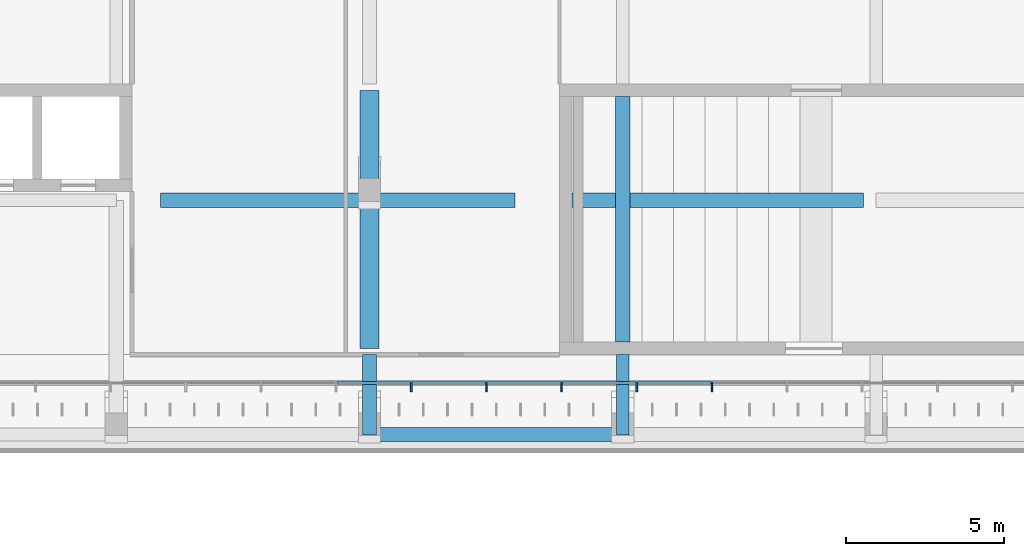
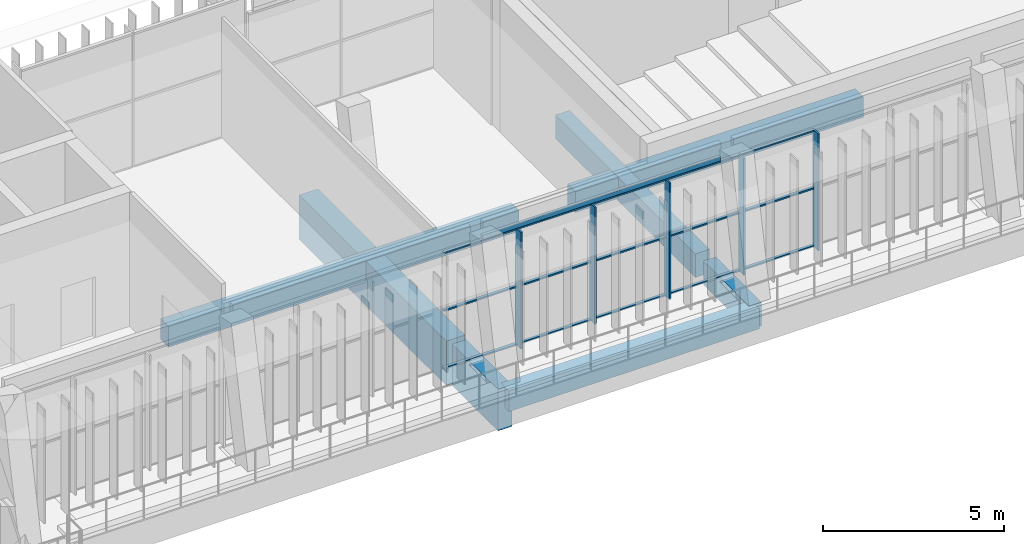
# One storey, part 24 of 74: 20 members, 8 beams, 1 element without a shape of its own.
"""IFC4 building model written with IfcOpenShell, lengths in metres."""

from ifc_helpers import new_model, si_unit, direction, frame, origin, origin_2d, place, context, subcontext, project, spatial, rectangle, hollow_rectangle, extrude, material, material_profile, profile_set, type_object, element, aggregate, save


model = new_model("IFC4")

# Units and contexts
model_context = context("Model", 3, precision=1e-05, world=origin(), true_north=direction((0.0, 1.0)))
body_context = subcontext(model_context, "Body", "Model", "MODEL_VIEW")
ifc_project = project(units=[si_unit("LENGTHUNIT", "METRE"), si_unit("AREAUNIT", "SQUARE_METRE"), si_unit("VOLUMEUNIT", "CUBIC_METRE"), si_unit("PLANEANGLEUNIT", "RADIAN"), si_unit("MASSUNIT", "GRAM", prefix="KILO")], contexts=[model_context])

# Site, building, storey
site_placement = place(None, origin())
site = spatial("IfcSite", under=ifc_project, at=site_placement, CompositionType="ELEMENT")
building_placement = place(site_placement, origin())
building = spatial("IfcBuilding", under=site, at=building_placement, Name="Lantern Court Media Centre", CompositionType="ELEMENT")
storey_placement = place(building_placement, frame((0.0, 0.0, 19.199951171875)))
storey = spatial("IfcBuildingStorey", under=building, at=storey_placement, Name="L04", CompositionType="ELEMENT", Elevation=19.199951171875)

# Curtain wall, members
ifc_material_1 = material(Name="Curtain wall bay 2400")
curtain_wall_type = type_object("IfcCurtainWallType", Name="Curtain wall bay 2400", PredefinedType="NOTDEFINED", material=ifc_material_1)
curtain_wall_placement = place(storey_placement, origin())
curtain_wall = element("IfcCurtainWall", 1, at=curtain_wall_placement, inside=storey, type_object=curtain_wall_type, Name="Curtain wall N inner L04", PredefinedType="NOTDEFINED")
ifc_material_2 = material(Name="Anodised aluminium", Category="aluminium")
ifc_material_profile_1 = material_profile(ifc_material_2, rectangle(XDim=0.300048828125, YDim=0.050048828125, at=origin_2d()), Name="AL 50x300")
ifc_profile_set_1 = profile_set([ifc_material_profile_1], Name="Anodised aluminium")
member_type_1 = type_object("IfcMemberType", Name="Curtain wall mullion 50x300", PredefinedType="MULLION", material=ifc_profile_set_1)
member_1_placement = place(storey_placement, frame((41.3173828125, 102.030029296875, 0.0), z_axis=(0.0, 0.0, 1.0), x_axis=(0.0, 1.0, 0.0)))
member_1 = element("IfcMember", 2, at=member_1_placement, type_object=member_type_1, Name="CW2 mullion 8", PredefinedType="MULLION", context=body_context, shape_type="SweptSolid", body=[
    extrude(rectangle(XDim=0.300048828125, YDim=0.050048828125, at=origin_2d()), origin(), (0.0, 0.0, 1.0), 3.949951171875),
])
member_2_placement = place(storey_placement, frame((43.69140625, 102.030029296875, 0.0), z_axis=(0.0, 0.0, 1.0), x_axis=(0.0, 1.0, 0.0)))
member_2 = element("IfcMember", 3, at=member_2_placement, type_object=member_type_1, Name="CW2 mullion 9", PredefinedType="MULLION", context=body_context, shape_type="SweptSolid", body=[
    extrude(rectangle(XDim=0.300048828125, YDim=0.050048828125, at=origin_2d()), origin(), (0.0, 0.0, 1.0), 3.949951171875),
])
member_3_placement = place(storey_placement, frame((46.065185546875, 102.030029296875, 0.0), z_axis=(0.0, 0.0, 1.0), x_axis=(0.0, 1.0, 0.0)))
member_3 = element("IfcMember", 4, at=member_3_placement, type_object=member_type_1, Name="CW2 mullion 10", PredefinedType="MULLION", context=body_context, shape_type="SweptSolid", body=[
    extrude(rectangle(XDim=0.300048828125, YDim=0.050048828125, at=origin_2d()), origin(), (0.0, 0.0, 1.0), 3.949951171875),
])
member_4_placement = place(storey_placement, frame((48.439208984375, 102.030029296875, 0.0), z_axis=(0.0, 0.0, 1.0), x_axis=(0.0, 1.0, 0.0)))
member_4 = element("IfcMember", 5, at=member_4_placement, type_object=member_type_1, Name="CW2 mullion 11", PredefinedType="MULLION", context=body_context, shape_type="SweptSolid", body=[
    extrude(rectangle(XDim=0.300048828125, YDim=0.050048828125, at=origin_2d()), origin(), (0.0, 0.0, 1.0), 3.949951171875),
])
member_5_placement = place(storey_placement, frame((50.81298828125, 102.030029296875, 0.0), z_axis=(0.0, 0.0, 1.0), x_axis=(0.0, 1.0, 0.0)))
member_5 = element("IfcMember", 6, at=member_5_placement, type_object=member_type_1, Name="CW2 mullion 12", PredefinedType="MULLION", context=body_context, shape_type="SweptSolid", body=[
    extrude(rectangle(XDim=0.300048828125, YDim=0.050048828125, at=origin_2d()), origin(), (0.0, 0.0, 1.0), 3.949951171875),
])
ifc_material_profile_2 = material_profile(ifc_material_2, rectangle(XDim=0.10009765625, YDim=0.050048828125, at=origin_2d()), Name="AL 50x100")
ifc_profile_set_2 = profile_set([ifc_material_profile_2], Name="Anodised aluminium")
member_type_2 = type_object("IfcMemberType", Name="Curtain wall transom 100x50", PredefinedType="USERDEFINED", material=ifc_profile_set_2)
member_6_placement = place(storey_placement, frame((38.968505859375, 102.14990234375, 0.025146484375), z_axis=(1.0, 0.0, 0.0), x_axis=(0.0, 1.0, 0.0)))
member_6 = element("IfcMember", 7, at=member_6_placement, type_object=member_type_2, Name="CW2 transom 7.1", ObjectType="TRANSOM", PredefinedType="USERDEFINED", context=body_context, shape_type="SweptSolid", body=[
    extrude(rectangle(XDim=0.10009765625, YDim=0.050048828125, at=origin_2d()), origin(), (0.0, 0.0, 1.0), 2.323974609375),
])
member_7_placement = place(storey_placement, frame((38.968505859375, 102.14990234375, 1.97509765625), z_axis=(1.0, 0.0, 0.0), x_axis=(0.0, 1.0, 0.0)))
member_7 = element("IfcMember", 8, at=member_7_placement, type_object=member_type_2, Name="CW2 transom 7.2", ObjectType="TRANSOM", PredefinedType="USERDEFINED", context=body_context, shape_type="SweptSolid", body=[
    extrude(rectangle(XDim=0.10009765625, YDim=0.050048828125, at=origin_2d()), origin(), (0.0, 0.0, 1.0), 2.323974609375),
])
member_8_placement = place(storey_placement, frame((38.968505859375, 102.14990234375, 3.925048828125), z_axis=(1.0, 0.0, 0.0), x_axis=(0.0, 1.0, 0.0)))
member_8 = element("IfcMember", 9, at=member_8_placement, type_object=member_type_2, Name="CW2 transom 7.3", ObjectType="TRANSOM", PredefinedType="USERDEFINED", context=body_context, shape_type="SweptSolid", body=[
    extrude(rectangle(XDim=0.10009765625, YDim=0.050048828125, at=origin_2d()), origin(), (0.0, 0.0, 1.0), 2.323974609375),
])
member_9_placement = place(storey_placement, frame((41.34228515625, 102.14990234375, 0.025146484375), z_axis=(1.0, 0.0, 0.0), x_axis=(0.0, 1.0, 0.0)))
member_9 = element("IfcMember", 10, at=member_9_placement, type_object=member_type_2, Name="CW2 transom 8.1", ObjectType="TRANSOM", PredefinedType="USERDEFINED", context=body_context, shape_type="SweptSolid", body=[
    extrude(rectangle(XDim=0.10009765625, YDim=0.050048828125, at=origin_2d()), origin(), (0.0, 0.0, 1.0), 2.323974609375),
])
member_10_placement = place(storey_placement, frame((41.34228515625, 102.14990234375, 1.97509765625), z_axis=(1.0, 0.0, 0.0), x_axis=(0.0, 1.0, 0.0)))
member_10 = element("IfcMember", 11, at=member_10_placement, type_object=member_type_2, Name="CW2 transom 8.2", ObjectType="TRANSOM", PredefinedType="USERDEFINED", context=body_context, shape_type="SweptSolid", body=[
    extrude(rectangle(XDim=0.10009765625, YDim=0.050048828125, at=origin_2d()), origin(), (0.0, 0.0, 1.0), 2.323974609375),
])
member_11_placement = place(storey_placement, frame((41.34228515625, 102.14990234375, 3.925048828125), z_axis=(1.0, 0.0, 0.0), x_axis=(0.0, 1.0, 0.0)))
member_11 = element("IfcMember", 12, at=member_11_placement, type_object=member_type_2, Name="CW2 transom 8.3", ObjectType="TRANSOM", PredefinedType="USERDEFINED", context=body_context, shape_type="SweptSolid", body=[
    extrude(rectangle(XDim=0.10009765625, YDim=0.050048828125, at=origin_2d()), origin(), (0.0, 0.0, 1.0), 2.323974609375),
])
member_12_placement = place(storey_placement, frame((43.71630859375, 102.14990234375, 0.025146484375), z_axis=(1.0, 0.0, 0.0), x_axis=(0.0, 1.0, 0.0)))
member_12 = element("IfcMember", 13, at=member_12_placement, type_object=member_type_2, Name="CW2 transom 9.1", ObjectType="TRANSOM", PredefinedType="USERDEFINED", context=body_context, shape_type="SweptSolid", body=[
    extrude(rectangle(XDim=0.10009765625, YDim=0.050048828125, at=origin_2d()), origin(), (0.0, 0.0, 1.0), 2.323974609375),
])
member_13_placement = place(storey_placement, frame((43.71630859375, 102.14990234375, 1.97509765625), z_axis=(1.0, 0.0, 0.0), x_axis=(0.0, 1.0, 0.0)))
member_13 = element("IfcMember", 14, at=member_13_placement, type_object=member_type_2, Name="CW2 transom 9.2", ObjectType="TRANSOM", PredefinedType="USERDEFINED", context=body_context, shape_type="SweptSolid", body=[
    extrude(rectangle(XDim=0.10009765625, YDim=0.050048828125, at=origin_2d()), origin(), (0.0, 0.0, 1.0), 2.323974609375),
])
member_14_placement = place(storey_placement, frame((43.71630859375, 102.14990234375, 3.925048828125), z_axis=(1.0, 0.0, 0.0), x_axis=(0.0, 1.0, 0.0)))
member_14 = element("IfcMember", 15, at=member_14_placement, type_object=member_type_2, Name="CW2 transom 9.3", ObjectType="TRANSOM", PredefinedType="USERDEFINED", context=body_context, shape_type="SweptSolid", body=[
    extrude(rectangle(XDim=0.10009765625, YDim=0.050048828125, at=origin_2d()), origin(), (0.0, 0.0, 1.0), 2.323974609375),
])
member_15_placement = place(storey_placement, frame((46.09033203125, 102.14990234375, 0.025146484375), z_axis=(1.0, 0.0, 0.0), x_axis=(0.0, 1.0, 0.0)))
member_15 = element("IfcMember", 16, at=member_15_placement, type_object=member_type_2, Name="CW2 transom 10.1", ObjectType="TRANSOM", PredefinedType="USERDEFINED", context=body_context, shape_type="SweptSolid", body=[
    extrude(rectangle(XDim=0.10009765625, YDim=0.050048828125, at=origin_2d()), origin(), (0.0, 0.0, 1.0), 2.32373046875),
])
member_16_placement = place(storey_placement, frame((46.09033203125, 102.14990234375, 1.97509765625), z_axis=(1.0, 0.0, 0.0), x_axis=(0.0, 1.0, 0.0)))
member_16 = element("IfcMember", 17, at=member_16_placement, type_object=member_type_2, Name="CW2 transom 10.2", ObjectType="TRANSOM", PredefinedType="USERDEFINED", context=body_context, shape_type="SweptSolid", body=[
    extrude(rectangle(XDim=0.10009765625, YDim=0.050048828125, at=origin_2d()), origin(), (0.0, 0.0, 1.0), 2.32373046875),
])
member_17_placement = place(storey_placement, frame((46.09033203125, 102.14990234375, 3.925048828125), z_axis=(1.0, 0.0, 0.0), x_axis=(0.0, 1.0, 0.0)))
member_17 = element("IfcMember", 18, at=member_17_placement, type_object=member_type_2, Name="CW2 transom 10.3", ObjectType="TRANSOM", PredefinedType="USERDEFINED", context=body_context, shape_type="SweptSolid", body=[
    extrude(rectangle(XDim=0.10009765625, YDim=0.050048828125, at=origin_2d()), origin(), (0.0, 0.0, 1.0), 2.32373046875),
])
member_18_placement = place(storey_placement, frame((48.464111328125, 102.14990234375, 0.025146484375), z_axis=(1.0, 0.0, 0.0), x_axis=(0.0, 1.0, 0.0)))
member_18 = element("IfcMember", 19, at=member_18_placement, type_object=member_type_2, Name="CW2 transom 11.1", ObjectType="TRANSOM", PredefinedType="USERDEFINED", context=body_context, shape_type="SweptSolid", body=[
    extrude(rectangle(XDim=0.10009765625, YDim=0.050048828125, at=origin_2d()), origin(), (0.0, 0.0, 1.0), 2.323974609375),
])
member_19_placement = place(storey_placement, frame((48.464111328125, 102.14990234375, 1.97509765625), z_axis=(1.0, 0.0, 0.0), x_axis=(0.0, 1.0, 0.0)))
member_19 = element("IfcMember", 20, at=member_19_placement, type_object=member_type_2, Name="CW2 transom 11.2", ObjectType="TRANSOM", PredefinedType="USERDEFINED", context=body_context, shape_type="SweptSolid", body=[
    extrude(rectangle(XDim=0.10009765625, YDim=0.050048828125, at=origin_2d()), origin(), (0.0, 0.0, 1.0), 2.323974609375),
])
member_20_placement = place(storey_placement, frame((48.464111328125, 102.14990234375, 3.925048828125), z_axis=(1.0, 0.0, 0.0), x_axis=(0.0, 1.0, 0.0)))
member_20 = element("IfcMember", 21, at=member_20_placement, type_object=member_type_2, Name="CW2 transom 11.3", ObjectType="TRANSOM", PredefinedType="USERDEFINED", context=body_context, shape_type="SweptSolid", body=[
    extrude(rectangle(XDim=0.10009765625, YDim=0.050048828125, at=origin_2d()), origin(), (0.0, 0.0, 1.0), 2.323974609375),
])
aggregate(curtain_wall, [member_1, member_2, member_3, member_4, member_5, member_6, member_7, member_8, member_9, member_10, member_11, member_12, member_13, member_14, member_15, member_16, member_17, member_18, member_19, member_20])

# Beams
ifc_material_3 = material(Name="Steel S355J2 (EN 10025-2)", Category="steel")
ifc_material_profile_3 = material_profile(ifc_material_3, hollow_rectangle(XDim=0.10009765625, YDim=0.14990234375, WallThickness=0.00634765625, InnerFilletRadius=0.00634765625, OuterFilletRadius=0.009521484375, at=origin_2d()), Name="Facade head lintel RHS 150x100x6.3")
ifc_profile_set_3 = profile_set([ifc_material_profile_3], Name="Steel S355J2 (EN 10025-2)")
beam_type_1 = type_object("IfcBeamType", Name="Facade head lintel RHS 150x100x6.3", PredefinedType="BEAM", material=ifc_profile_set_3)
beam_1_placement = place(storey_placement, frame((40.199951171875, 102.14990234375, 4.025146484375), z_axis=(1.0, 0.0, 0.0), x_axis=(0.0, 1.0, 0.0)))
element("IfcBeam", 22, at=beam_1_placement, inside=storey, type_object=beam_type_1, Name="Facade head lintel N L04", PredefinedType="BEAM", context=body_context, shape_type="SweptSolid", body=[
    extrude(hollow_rectangle(XDim=0.10009765625, YDim=0.14990234375, WallThickness=0.00634765625, InnerFilletRadius=0.00634765625, OuterFilletRadius=0.009521484375, at=origin_2d()), origin(), (0.0, 0.0, 1.0), 7.60009765625),
])
ifc_material_4 = material(Name="Concrete C35", Category="concrete")
ifc_material_profile_4 = material_profile(ifc_material_4, rectangle(XDim=0.39990234375, YDim=0.800048828125, at=origin_2d()), Name="RC 400x800")
ifc_profile_set_4 = profile_set([ifc_material_profile_4], Name="Concrete C35")
beam_type_2 = type_object("IfcBeamType", Name="RC BEAM 400x800", PredefinedType="BEAM", material=ifc_profile_set_4)
beam_2_placement = place(storey_placement, frame((48.0, 100.5166015625, -0.39990234375), z_axis=(0.0, 1.0, 0.0), x_axis=(-1.0, 0.0, 0.0)))
element("IfcBeam", 23, at=beam_2_placement, inside=storey, type_object=beam_type_2, Name="TB-N-L04-3-1", PredefinedType="BEAM", context=body_context, shape_type="SweptSolid", body=[
    extrude(rectangle(XDim=0.39990234375, YDim=0.800048828125, at=origin_2d()), origin(), (0.0, 0.0, 1.0), 2.533447265625),
])
ifc_material_profile_5 = material_profile(ifc_material_4, rectangle(XDim=0.449951171875, YDim=1.39990234375, at=origin_2d()), Name="RC 450x1400")
ifc_profile_set_5 = profile_set([ifc_material_profile_5], Name="Concrete C35")
beam_type_3 = type_object("IfcBeamType", Name="RC BEAM 450x1400", PredefinedType="BEAM", material=ifc_profile_set_5)
beam_3_placement = place(storey_placement, frame((40.0, 100.5166015625, -0.699951171875), z_axis=(0.0, 1.0, 0.0), x_axis=(-1.0, 0.0, 0.0)))
element("IfcBeam", 24, at=beam_3_placement, inside=storey, type_object=beam_type_3, Name="TB-N-L04-2-1", PredefinedType="BEAM", context=body_context, shape_type="SweptSolid", body=[
    extrude(rectangle(XDim=0.449951171875, YDim=1.39990234375, at=origin_2d()), origin(), (0.0, 0.0, 1.0), 2.533447265625),
])
ifc_material_profile_6 = material_profile(ifc_material_4, rectangle(XDim=0.449951171875, YDim=0.699951171875, at=origin_2d()), Name="RC 450x700")
ifc_profile_set_6 = profile_set([ifc_material_profile_6], Name="Concrete C35")
beam_type_4 = type_object("IfcBeamType", Name="RC BEAM 450x700", PredefinedType="BEAM", material=ifc_profile_set_6)
beam_4_placement = place(storey_placement, frame((40.0, 100.527099609375, -0.349853515625), z_axis=(1.0, 0.0, 0.0), x_axis=(0.0, 1.0, 0.0)))
element("IfcBeam", 25, at=beam_4_placement, inside=storey, type_object=beam_type_4, Name="LB-N-L04-0-2", PredefinedType="BEAM", context=body_context, shape_type="SweptSolid", body=[
    extrude(rectangle(XDim=0.449951171875, YDim=0.699951171875, at=origin_2d()), origin(), (0.0, 0.0, 1.0), 8.0),
])
beam_5_placement = place(storey_placement, frame((33.39990234375, 107.927001953125, -0.349853515625), z_axis=(1.0, 0.0, 0.0), x_axis=(0.0, 1.0, 0.0)))
element("IfcBeam", 26, at=beam_5_placement, inside=storey, type_object=beam_type_4, Name="LB-N-L04-1-1", PredefinedType="BEAM", context=body_context, shape_type="SweptSolid", body=[
    extrude(rectangle(XDim=0.449951171875, YDim=0.699951171875, at=origin_2d()), origin(), (0.0, 0.0, 1.0), 11.2001953125),
])
beam_6_placement = place(storey_placement, frame((46.39990234375, 107.927001953125, -0.349853515625), z_axis=(1.0, 0.0, 0.0), x_axis=(0.0, 1.0, 0.0)))
element("IfcBeam", 27, at=beam_6_placement, inside=storey, type_object=beam_type_4, Name="LB-N-L04-1-11", PredefinedType="BEAM", context=body_context, shape_type="SweptSolid", body=[
    extrude(rectangle(XDim=0.449951171875, YDim=0.699951171875, at=origin_2d()), origin(), (0.0, 0.0, 1.0), 9.2001953125),
])
ifc_material_profile_7 = material_profile(ifc_material_4, rectangle(XDim=0.449951171875, YDim=0.800048828125, at=origin_2d()), Name="RC 450x800")
ifc_profile_set_7 = profile_set([ifc_material_profile_7], Name="Concrete C35")
beam_type_5 = type_object("IfcBeamType", Name="RC BEAM 450x800", PredefinedType="BEAM", material=ifc_profile_set_7)
beam_7_placement = place(storey_placement, frame((48.0, 103.449951171875, -0.39990234375), z_axis=(0.0, 1.0, 0.0), x_axis=(-1.0, 0.0, 0.0)))
element("IfcBeam", 28, at=beam_7_placement, inside=storey, type_object=beam_type_5, Name="TB-N-L04-3-11", PredefinedType="BEAM", context=body_context, shape_type="SweptSolid", body=[
    extrude(rectangle(XDim=0.449951171875, YDim=0.800048828125, at=origin_2d()), origin(), (0.0, 0.0, 1.0), 7.75),
])
ifc_material_profile_8 = material_profile(ifc_material_4, rectangle(XDim=0.60009765625, YDim=1.5, at=origin_2d()), Name="RC 600x1500")
ifc_profile_set_8 = profile_set([ifc_material_profile_8], Name="Concrete C35")
beam_type_6 = type_object("IfcBeamType", Name="RC BEAM 600x1500", PredefinedType="BEAM", material=ifc_profile_set_8)
beam_8_placement = place(storey_placement, frame((40.0, 103.25, -0.75), z_axis=(0.0, 1.0, 0.0), x_axis=(-1.0, 0.0, 0.0)))
element("IfcBeam", 29, at=beam_8_placement, inside=storey, type_object=beam_type_6, Name="TR-N-L04-2", PredefinedType="BEAM", context=body_context, shape_type="SweptSolid", body=[
    extrude(rectangle(XDim=0.60009765625, YDim=1.5, at=origin_2d()), origin(), (0.0, 0.0, 1.0), 8.14990234375),
])

save(model, "model.ifc")
